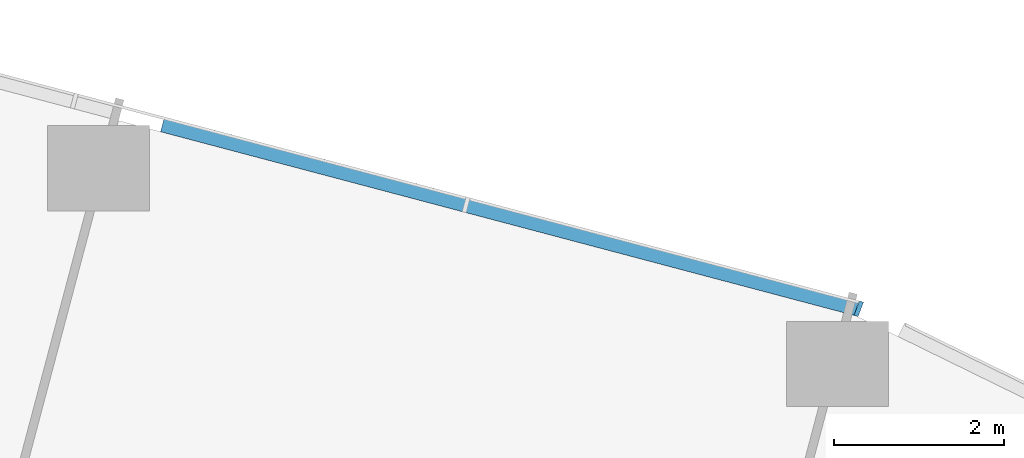
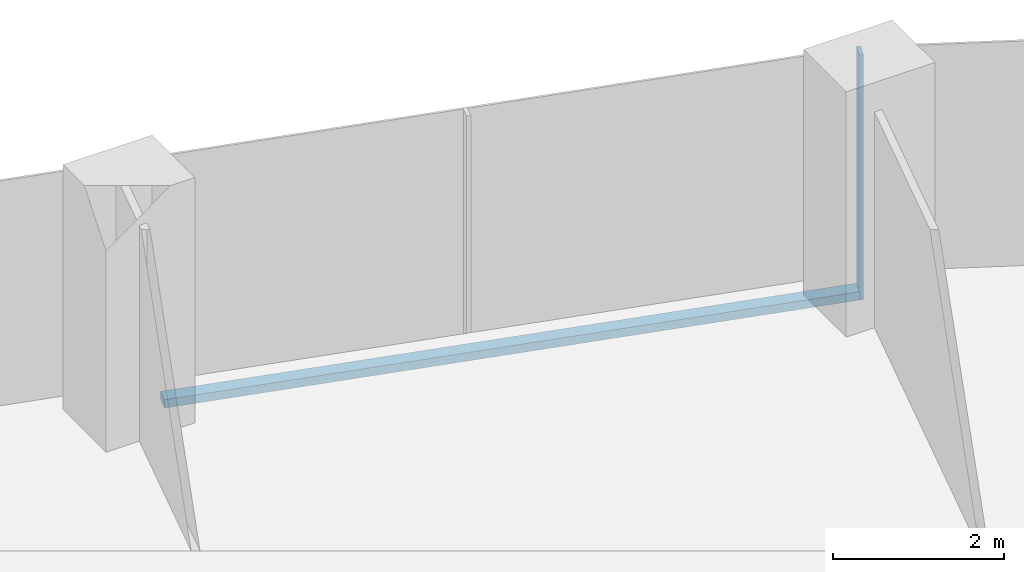
# One storey, part 15 of 34: 2 members, 2 elements without a shape of their own.
"""IFC4 building model written with IfcOpenShell, lengths in metres."""

from ifc_helpers import new_model, si_unit, direction, frame, origin, origin_2d, place, context, subcontext, project, spatial, rectangle, extrude, material, material_profile, profile_set, type_object, element, aggregate, save


model = new_model("IFC4")

# Units and contexts
model_context = context("Model", 3, precision=1e-05, world=origin(), true_north=direction((0.0, 1.0)))
body_context = subcontext(model_context, "Body", "Model", "MODEL_VIEW")
ifc_project = project(units=[si_unit("LENGTHUNIT", "METRE"), si_unit("AREAUNIT", "SQUARE_METRE"), si_unit("VOLUMEUNIT", "CUBIC_METRE"), si_unit("PLANEANGLEUNIT", "RADIAN"), si_unit("MASSUNIT", "GRAM", prefix="KILO")], contexts=[model_context])

# Site, building, storey
site_placement = place(None, origin())
site = spatial("IfcSite", under=ifc_project, at=site_placement, CompositionType="ELEMENT")
building_placement = place(site_placement, origin())
building = spatial("IfcBuilding", under=site, at=building_placement, Name="Orlundy Tower", CompositionType="ELEMENT")
storey_placement = place(building_placement, frame((0.0, 0.0, 105.699951171875)))
storey = spatial("IfcBuildingStorey", under=building, at=storey_placement, Name="L26", CompositionType="ELEMENT", Elevation=105.699951171875)

# Curtain wall, member
ifc_material_1 = material(Name="Aluminium bronze anodised", Category="aluminium")
curtain_wall_type = type_object("IfcCurtainWallType", Name="CW1 wall", PredefinedType="NOTDEFINED", material=ifc_material_1)
curtain_wall_1_placement = place(storey_placement, origin())
curtain_wall_1 = element("IfcCurtainWall", 1, at=curtain_wall_1_placement, inside=storey, type_object=curtain_wall_type, Name="CW1 run 019", PredefinedType="NOTDEFINED")
ifc_material_2 = material(Name="Aluminium bronze anodised", Category="aluminium")
ifc_material_profile_1 = material_profile(ifc_material_2, rectangle(XDim=0.179931640625, YDim=0.050048828125, at=origin_2d()), Name="CW1 mullion 50x180")
ifc_profile_set_1 = profile_set([ifc_material_profile_1], Name="Aluminium bronze anodised")
member_type_1 = type_object("IfcMemberType", Name="CW1 mullion 50x180", PredefinedType="MULLION", material=ifc_profile_set_1)
member_1_placement = place(storey_placement, frame((54.45263671875, 6.36181640625, -0.39990234375), z_axis=(0.0, 0.0, 1.0), x_axis=(0.349570337809, 0.936910123184, 0.0)))
member_1 = element("IfcMember", 2, at=member_1_placement, type_object=member_type_1, Name="CW1 mullion 57", PredefinedType="MULLION", context=body_context, shape_type="SweptSolid", body=[
    extrude(rectangle(XDim=0.179931640625, YDim=0.050048828125, at=origin_2d()), origin(), (0.0, 0.0, 1.0), 3.5),
])
aggregate(curtain_wall_1, [member_1])

curtain_wall_2_placement = place(storey_placement, origin())
curtain_wall_2 = element("IfcCurtainWall", 3, at=curtain_wall_2_placement, inside=storey, type_object=curtain_wall_type, Name="CW1 run 018", PredefinedType="NOTDEFINED")
ifc_material_3 = material(Name="Aluminium bronze anodised", Category="aluminium")
ifc_material_profile_2 = material_profile(ifc_material_3, rectangle(XDim=0.179931640625, YDim=0.1201171875, at=origin_2d()), Name="CW1 transom 180x120")
ifc_profile_set_2 = profile_set([ifc_material_profile_2], Name="Aluminium bronze anodised")
member_type_2 = type_object("IfcMemberType", Name="CW1 transom 180x120", PredefinedType="USERDEFINED", material=ifc_profile_set_2)
member_2_placement = place(storey_placement, frame((46.284912109375, 8.52490234375, -0.33984375), z_axis=(0.96667127117, -0.256020806761, 0.0), x_axis=(0.256020806761, 0.96667127117, 0.0)))
member_2 = element("IfcMember", 4, at=member_2_placement, type_object=member_type_2, Name="CW1 transom", ObjectType="TRANSOM", PredefinedType="USERDEFINED", context=body_context, shape_type="SweptSolid", body=[
    extrude(rectangle(XDim=0.179931640625, YDim=0.1201171875, at=origin_2d()), origin(), (0.0, 0.0, 1.0), 8.424072265625),
])
aggregate(curtain_wall_2, [member_2])

save(model, "model.ifc")
